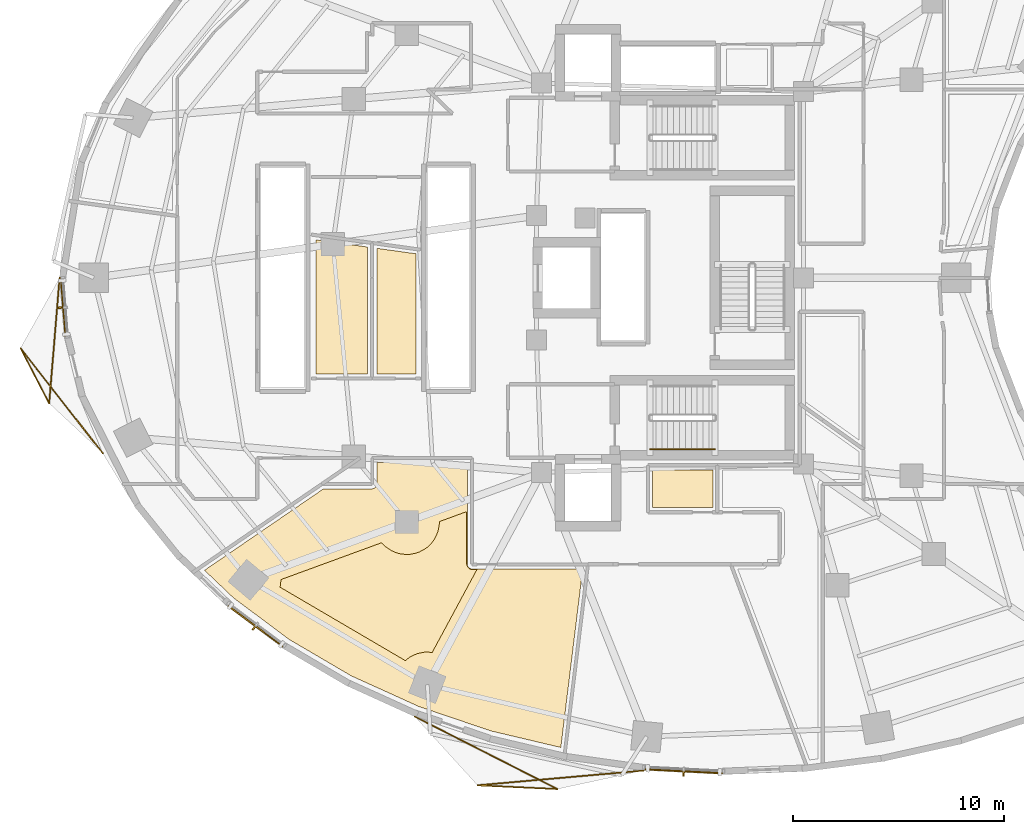
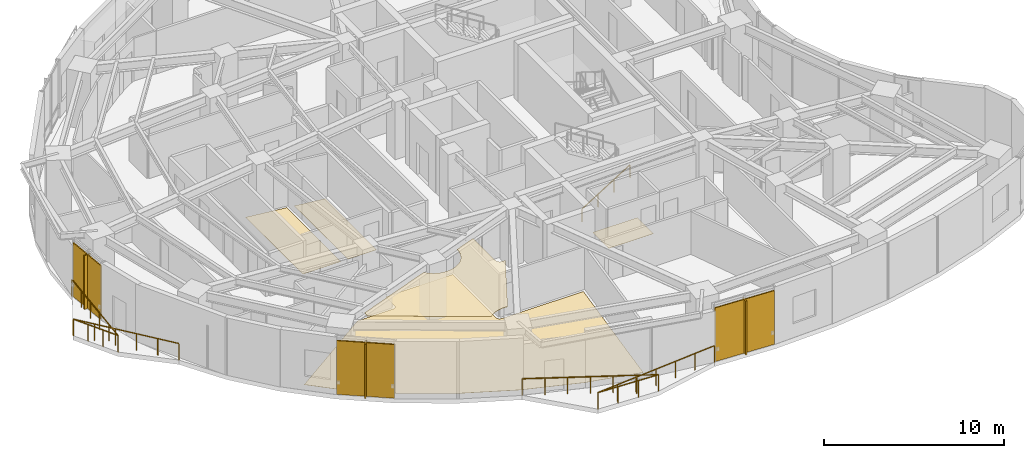
# One storey, part 14 of 16: 6 shading devices, 5 coverings, 3 railings.
"""IFC4 building model written with IfcOpenShell, lengths in metres."""

from ifc_helpers import new_model, si_unit, direction, frame, origin, origin_2d, place, context, subcontext, project, spatial, polyline, rectangle, outline, extrude, material, layer, layer_set, type_object, element, save


model = new_model("IFC4")

# Units and contexts
model_context = context("Model", 3, precision=1e-05, world=origin(), true_north=direction((0.0, 1.0)))
body_context = subcontext(model_context, "Body", "Model", "MODEL_VIEW")
ifc_project = project(units=[si_unit("LENGTHUNIT", "METRE"), si_unit("AREAUNIT", "SQUARE_METRE"), si_unit("VOLUMEUNIT", "CUBIC_METRE"), si_unit("PLANEANGLEUNIT", "RADIAN"), si_unit("MASSUNIT", "GRAM", prefix="KILO")], contexts=[model_context])

# Site, building, storey
site_placement = place(None, origin())
site = spatial("IfcSite", under=ifc_project, at=site_placement, CompositionType="ELEMENT")
building_placement = place(site_placement, origin())
building = spatial("IfcBuilding", under=site, at=building_placement, Name="Korentha Bioscience Tower", CompositionType="ELEMENT")
storey_placement = place(building_placement, frame((0.0, 0.0, 55.199951171875)))
storey = spatial("IfcBuildingStorey", under=building, at=storey_placement, Name="L12", CompositionType="ELEMENT", Elevation=55.199951171875)

# Railings
ifc_material_1 = material(Name="Stainless Steel 304", Category="steel")
railing_type_1 = type_object("IfcRailingType", Name="Brushed Stainless Stair Handrail 900", PredefinedType="HANDRAIL", material=ifc_material_1)
railing_1_placement = place(storey_placement, frame((30.25, 18.85009765625, 0.175048828125)))
element("IfcRailing", 1, at=railing_1_placement, inside=storey, type_object=railing_type_1, Name="L12 ST-2 stair handrail 1", PredefinedType="HANDRAIL", context=body_context, shape_type="SweptSolid", body=[
    extrude(rectangle(XDim=0.048095703125, YDim=0.048095703125, at=origin_2d()), frame((0.0, 0.0, 0.8759765625), z_axis=(0.847998304005, 0.0, 0.529998940003), x_axis=(0.0, 1.0, 0.0)), (0.0, 0.0, 1.0), 3.632080078125),
    extrude(rectangle(XDim=0.0419921875, YDim=0.0419921875, at=origin_2d()), origin(), (0.0, 0.0, 1.0), 0.851806640625),
    extrude(rectangle(XDim=0.0419921875, YDim=0.0419921875, at=origin_2d()), frame((1.026611328125, 0.0, 0.6416015625)), (0.0, 0.0, 1.0), 0.851806640625),
    extrude(rectangle(XDim=0.0419921875, YDim=0.0419921875, at=origin_2d()), frame((2.053466796875, 0.0, 1.283447265625)), (0.0, 0.0, 1.0), 0.851806640625),
    extrude(rectangle(XDim=0.0419921875, YDim=0.0419921875, at=origin_2d()), frame((3.080078125, 0.0, 1.925048828125)), (0.0, 0.0, 1.0), 0.851806640625),
])
ifc_material_2 = material(Name="Laminated Tempered Safety Glass", Category="glass")
railing_type_2 = type_object("IfcRailingType", Name="Laminated Glass Balcony Guardrail 1150", PredefinedType="BALUSTRADE", material=ifc_material_2)
railing_2_placement = place(storey_placement, frame((2.199951171875, 27.0, 0.0)))
element("IfcRailing", 2, at=railing_2_placement, inside=storey, type_object=railing_type_2, Name="L12 Balcony Guardrail 02", PredefinedType="BALUSTRADE", context=body_context, shape_type="SweptSolid", body=[
    extrude(rectangle(XDim=0.048095703125, YDim=0.048095703125, at=origin_2d()), frame((0.0, 0.0, 1.1259765625), z_axis=(-0.082377218536, -0.996601221084, 0.0), x_axis=(0.996601221084, -0.082377218536, 0.0)), (0.0, 0.0, 1.0), 5.986572265625),
    extrude(rectangle(XDim=0.048095703125, YDim=0.048095703125, at=origin_2d()), frame((-0.4931640625, -5.96630859375, 1.1259765625), z_axis=(-0.46168810781, 0.887042327686, 0.0), x_axis=(-0.887042327686, -0.46168810781, 0.0)), (0.0, 0.0, 1.0), 2.95654296875),
    extrude(rectangle(XDim=0.048095703125, YDim=0.048095703125, at=origin_2d()), frame((-1.858154296875, -3.34375, 1.1259765625), z_axis=(0.616598258168, -0.787277961094, 0.0), x_axis=(0.787277961094, 0.616598258168, 0.0)), (0.0, 0.0, 1.0), 6.332275390625),
    extrude(rectangle(XDim=0.0419921875, YDim=0.0419921875, at=origin_2d()), origin(), (0.0, 0.0, 1.0), 1.101806640625),
    extrude(rectangle(XDim=0.0419921875, YDim=0.0419921875, at=origin_2d()), frame((-0.0986328125, -1.193359375, 0.0)), (0.0, 0.0, 1.0), 1.101806640625),
    extrude(rectangle(XDim=0.0419921875, YDim=0.0419921875, at=origin_2d()), frame((-0.197265625, -2.386474609375, 0.0)), (0.0, 0.0, 1.0), 1.101806640625),
    extrude(rectangle(XDim=0.0419921875, YDim=0.0419921875, at=origin_2d()), frame((-0.2958984375, -3.579833984375, 0.0)), (0.0, 0.0, 1.0), 1.101806640625),
    extrude(rectangle(XDim=0.0419921875, YDim=0.0419921875, at=origin_2d()), frame((-0.39453125, -4.77294921875, 0.0)), (0.0, 0.0, 1.0), 1.101806640625),
    extrude(rectangle(XDim=0.0419921875, YDim=0.0419921875, at=origin_2d()), frame((-0.4931640625, -5.96630859375, 0.0)), (0.0, 0.0, 1.0), 1.101806640625),
    extrude(rectangle(XDim=0.0419921875, YDim=0.0419921875, at=origin_2d()), frame((-0.9482421875, -5.092041015625, 0.0)), (0.0, 0.0, 1.0), 1.101806640625),
    extrude(rectangle(XDim=0.0419921875, YDim=0.0419921875, at=origin_2d()), frame((-1.403076171875, -4.218017578125, 0.0)), (0.0, 0.0, 1.0), 1.101806640625),
    extrude(rectangle(XDim=0.0419921875, YDim=0.0419921875, at=origin_2d()), frame((-1.858154296875, -3.34375, 0.0)), (0.0, 0.0, 1.0), 1.101806640625),
    extrude(rectangle(XDim=0.0419921875, YDim=0.0419921875, at=origin_2d()), frame((-1.0771484375, -4.3408203125, 0.0)), (0.0, 0.0, 1.0), 1.101806640625),
    extrude(rectangle(XDim=0.0419921875, YDim=0.0419921875, at=origin_2d()), frame((-0.29638671875, -5.337890625, 0.0)), (0.0, 0.0, 1.0), 1.101806640625),
    extrude(rectangle(XDim=0.0419921875, YDim=0.0419921875, at=origin_2d()), frame((0.484619140625, -6.3349609375, 0.0)), (0.0, 0.0, 1.0), 1.101806640625),
    extrude(rectangle(XDim=0.0419921875, YDim=0.0419921875, at=origin_2d()), frame((1.265380859375, -7.33203125, 0.0)), (0.0, 0.0, 1.0), 1.101806640625),
    extrude(rectangle(XDim=0.0419921875, YDim=0.0419921875, at=origin_2d()), frame((2.04638671875, -8.3291015625, 0.0)), (0.0, 0.0, 1.0), 1.101806640625),
])
railing_3_placement = place(storey_placement, frame((19.07080078125, 6.162353515625, 0.0)))
element("IfcRailing", 3, at=railing_3_placement, inside=storey, type_object=railing_type_2, Name="L12 Balcony Guardrail 03", PredefinedType="BALUSTRADE", context=body_context, shape_type="SweptSolid", body=[
    extrude(rectangle(XDim=0.048095703125, YDim=0.048095703125, at=origin_2d()), frame((0.0, 0.0, 1.1259765625), z_axis=(0.891319654486, -0.45337542228, 0.0), x_axis=(0.45337542228, 0.891319654486, 0.0)), (0.0, 0.0, 1.0), 7.610107421875),
    extrude(rectangle(XDim=0.048095703125, YDim=0.048095703125, at=origin_2d()), frame((6.782958984375, -3.4501953125, 1.1259765625), z_axis=(-0.998888075522, 0.047144592276, 0.0), x_axis=(-0.047144592276, -0.998888075522, 0.0)), (0.0, 0.0, 1.0), 3.80615234375),
    extrude(rectangle(XDim=0.048095703125, YDim=0.048095703125, at=origin_2d()), frame((2.98095703125, -3.270751953125, 1.1259765625), z_axis=(0.996070888577, 0.088559499377, 0.0), x_axis=(-0.088559499377, 0.996070888577, 0.0)), (0.0, 0.0, 1.0), 7.920166015625),
    extrude(rectangle(XDim=0.0419921875, YDim=0.0419921875, at=origin_2d()), origin(), (0.0, 0.0, 1.0), 1.101806640625),
    extrude(rectangle(XDim=0.0419921875, YDim=0.0419921875, at=origin_2d()), frame((1.13037109375, -0.574951171875, 0.0)), (0.0, 0.0, 1.0), 1.101806640625),
    extrude(rectangle(XDim=0.0419921875, YDim=0.0419921875, at=origin_2d()), frame((2.260986328125, -1.150146484375, 0.0)), (0.0, 0.0, 1.0), 1.101806640625),
    extrude(rectangle(XDim=0.0419921875, YDim=0.0419921875, at=origin_2d()), frame((3.3916015625, -1.72509765625, 0.0)), (0.0, 0.0, 1.0), 1.101806640625),
    extrude(rectangle(XDim=0.0419921875, YDim=0.0419921875, at=origin_2d()), frame((4.52197265625, -2.300048828125, 0.0)), (0.0, 0.0, 1.0), 1.101806640625),
    extrude(rectangle(XDim=0.0419921875, YDim=0.0419921875, at=origin_2d()), frame((5.65234375, -2.875244140625, 0.0)), (0.0, 0.0, 1.0), 1.101806640625),
    extrude(rectangle(XDim=0.0419921875, YDim=0.0419921875, at=origin_2d()), frame((6.782958984375, -3.4501953125, 0.0)), (0.0, 0.0, 1.0), 1.101806640625),
    extrude(rectangle(XDim=0.0419921875, YDim=0.0419921875, at=origin_2d()), frame((5.515625, -3.390380859375, 0.0)), (0.0, 0.0, 1.0), 1.101806640625),
    extrude(rectangle(XDim=0.0419921875, YDim=0.0419921875, at=origin_2d()), frame((4.248291015625, -3.33056640625, 0.0)), (0.0, 0.0, 1.0), 1.101806640625),
    extrude(rectangle(XDim=0.0419921875, YDim=0.0419921875, at=origin_2d()), frame((2.98095703125, -3.270751953125, 0.0)), (0.0, 0.0, 1.0), 1.101806640625),
    extrude(rectangle(XDim=0.0419921875, YDim=0.0419921875, at=origin_2d()), frame((4.2958984375, -3.15380859375, 0.0)), (0.0, 0.0, 1.0), 1.101806640625),
    extrude(rectangle(XDim=0.0419921875, YDim=0.0419921875, at=origin_2d()), frame((5.610595703125, -3.036865234375, 0.0)), (0.0, 0.0, 1.0), 1.101806640625),
    extrude(rectangle(XDim=0.0419921875, YDim=0.0419921875, at=origin_2d()), frame((6.925537109375, -2.919921875, 0.0)), (0.0, 0.0, 1.0), 1.101806640625),
    extrude(rectangle(XDim=0.0419921875, YDim=0.0419921875, at=origin_2d()), frame((8.240478515625, -2.80322265625, 0.0)), (0.0, 0.0, 1.0), 1.101806640625),
    extrude(rectangle(XDim=0.0419921875, YDim=0.0419921875, at=origin_2d()), frame((9.55517578125, -2.686279296875, 0.0)), (0.0, 0.0, 1.0), 1.101806640625),
    extrude(rectangle(XDim=0.0419921875, YDim=0.0419921875, at=origin_2d()), frame((10.8701171875, -2.5693359375, 0.0)), (0.0, 0.0, 1.0), 1.101806640625),
])

# Covering
ifc_material_3 = material(Name="Antimicrobial Mineral Fibre Board", Category="gypsum")
ifc_layer_1 = layer(ifc_material_3, 0.034912109375, Name="Antimicrobial Mineral Fibre Board")
ifc_layer_set_1 = layer_set([ifc_layer_1], Name="Antimicrobial Mineral Fibre Board (CL-MF35)")
covering_type_1 = type_object("IfcCoveringType", Name="Mineral-Fibre Cleanroom Suspended Ceiling 35", PredefinedType="CEILING", material=ifc_layer_set_1)
covering_1_placement = place(storey_placement, frame((0.0, 0.0, 3.864990234375)))
element("IfcCovering", 4, at=covering_1_placement, inside=storey, type_object=covering_type_1, Name="L12 NMR Spectroscopy Shielded Room 05 Acoustic Ceiling", PredefinedType="CEILING", context=body_context, shape_type="SweptSolid", body=[
    extrude(outline(polyline([(21.540283203125, 13.3876953125), (21.577392578125, 13.265869140625), (21.6884765625, 13.165283203125), (21.786865234375, 13.140380859375), (22.02392578125, 13.139892578125), (19.900634765625, 9.201416015625), (19.66650390625, 9.22119140625), (19.514404296875, 9.213623046875), (19.216552734375, 9.154296875), (18.935791015625, 9.0380859375), (18.805419921875, 8.9599609375), (18.623046875, 8.81494140625), (12.677490234375, 12.30078125), (12.71923828125, 12.666015625), (17.5, 14.415283203125), (17.708740234375, 14.20703125), (17.96142578125, 14.038330078125), (18.2421875, 13.922119140625), (18.3896484375, 13.885009765625), (18.692138671875, 13.855224609375), (18.843994140625, 13.86279296875), (19.14208984375, 13.922119140625), (19.285400390625, 13.973388671875), (19.55322265625, 14.116455078125), (19.67529296875, 14.20703125), (19.890380859375, 14.422119140625), (19.98095703125, 14.544189453125), (20.05908203125, 14.674560546875), (20.17529296875, 14.955322265625), (20.234619140625, 15.25341796875), (20.241455078125, 15.41845703125), (21.5400390625, 15.893798828125), (21.540283203125, 13.3876953125)])), origin(), (0.0, 0.0, 1.0), 0.03515625),
])

# Shading devices
ifc_material_4 = material(Name="Perforated Stone-Ceramic Composite", Category="masonry")
ifc_layer_2 = layer(ifc_material_4, 0.06494140625, Name="Perforated Stone-Ceramic Composite")
ifc_layer_set_2 = layer_set([ifc_layer_2], Name="Perforated Stone-Ceramic Composite (CS-01)")
shading_device_type_1 = type_object("IfcShadingDeviceType", Name="Perforated Stone-Ceramic Solar Screen Panel 65", PredefinedType="USERDEFINED", material=ifc_layer_set_2)
shading_device_1_placement = place(storey_placement, frame((2.37451171875, 25.58935546875, 0.0), z_axis=(0.0, 0.0, 1.0), x_axis=(0.080820466375, -0.996728675325, 0.0)))
element("IfcShadingDevice", 5, at=shading_device_1_placement, inside=storey, type_object=shading_device_type_1, Name="CW-L12-19 Perforated Stone-Ceramic Solar Screen", ObjectType="SCREEN", PredefinedType="USERDEFINED", context=body_context, shape_type="SweptSolid", body=[
    extrude(rectangle(XDim=2.739990234375, YDim=0.06494140625, at=origin_2d()), origin(), (0.0, 0.0, 1.0), 3.64990234375),
])
shading_device_2_placement = place(storey_placement, frame((11.503662109375, 10.455078125, 0.0), z_axis=(0.0, 0.0, 1.0), x_axis=(0.800797909614, -0.598934644145, 0.0)))
element("IfcShadingDevice", 6, at=shading_device_2_placement, inside=storey, type_object=shading_device_type_1, Name="CW-L12-25 Perforated Stone-Ceramic Solar Screen", ObjectType="SCREEN", PredefinedType="USERDEFINED", context=body_context, shape_type="SweptSolid", body=[
    extrude(rectangle(XDim=3.260986328125, YDim=0.06494140625, at=origin_2d()), origin(), (0.0, 0.0, 1.0), 3.64990234375),
])
shading_device_3_placement = place(storey_placement, frame((31.85009765625, 3.556640625, 0.0), z_axis=(0.0, 0.0, 1.0), x_axis=(0.998730551641, -0.050371472279, 0.0)))
element("IfcShadingDevice", 7, at=shading_device_3_placement, inside=storey, type_object=shading_device_type_1, Name="CW-L12-31 Perforated Stone-Ceramic Solar Screen", ObjectType="SCREEN", PredefinedType="USERDEFINED", context=body_context, shape_type="SweptSolid", body=[
    extrude(rectangle(XDim=3.717041015625, YDim=0.06494140625, at=origin_2d()), origin(), (0.0, 0.0, 1.0), 3.64990234375),
])

# Coverings
ifc_material_5 = material(Name="Chemical-Resistant Epoxy Resin", Category="polymer")
ifc_layer_3 = layer(ifc_material_5, 0.011962890625, Name="Chemical-Resistant Epoxy Resin")
ifc_layer_set_3 = layer_set([ifc_layer_3], Name="Chemical-Resistant Epoxy Resin (FL-EPX)")
covering_type_2 = type_object("IfcCoveringType", Name="Seamless Epoxy Laboratory Flooring 12", PredefinedType="FLOORING", material=ifc_layer_set_3)
covering_2_placement = place(storey_placement, origin())
element("IfcCovering", 8, at=covering_2_placement, inside=storey, type_object=covering_type_2, Name="L12 Core Instrumentation and Gas Store Floor Finish", PredefinedType="FLOORING", context=body_context, shape_type="SweptSolid", body=[
    extrude(outline(polyline([(30.3701171875, 16.080078125), (30.3701171875, 17.8701171875), (33.22998046875, 17.8701171875), (33.22998046875, 16.080078125), (30.3701171875, 16.080078125)])), origin(), (0.0, 0.0, 1.0), 0.011962890625),
])
covering_3_placement = place(storey_placement, origin())
element("IfcCovering", 9, at=covering_3_placement, inside=storey, type_object=covering_type_2, Name="L12 Staff Pantry Kitchenette 01 Floor Finish", PredefinedType="FLOORING", context=body_context, shape_type="SweptSolid", body=[
    extrude(outline(polyline([(16.827880859375, 28.461181640625), (16.827880859375, 22.429931640625), (14.3798828125, 22.429931640625), (14.3798828125, 28.80078125), (16.827880859375, 28.461181640625)])), origin(), (0.0, 0.0, 1.0), 0.011962890625),
])
covering_4_placement = place(storey_placement, origin())
element("IfcCovering", 10, at=covering_4_placement, inside=storey, type_object=covering_type_2, Name="L12 Biomechanical Motion Analysis Lab 03 Floor Finish", PredefinedType="FLOORING", context=body_context, shape_type="SweptSolid", body=[
    extrude(outline(polyline([(17.278076171875, 22.429931640625), (17.278076171875, 28.398681640625), (19.1201171875, 28.143310546875), (19.1201171875, 22.429931640625), (17.278076171875, 22.429931640625)])), origin(), (0.0, 0.0, 1.0), 0.011962890625),
])
covering_5_placement = place(storey_placement, origin())
element("IfcCovering", 11, at=covering_5_placement, inside=storey, type_object=covering_type_2, Name="L12 NMR Spectroscopy Shielded Room 05 Floor Finish", PredefinedType="FLOORING", context=body_context, shape_type="SweptSolid", body=[
    extrude(outline(polyline([(17.048095703125, 16.97802734375), (17.132080078125, 16.994384765625), (17.1884765625, 17.02734375), (17.24365234375, 17.093017578125), (17.266845703125, 17.15380859375), (17.27197265625, 18.219970703125), (21.570068359375, 18.219970703125), (21.570068359375, 13.39990234375), (21.591796875, 13.302001953125), (21.645263671875, 13.22998046875), (21.72216796875, 13.18359375), (21.800048828125, 13.169921875), (27.0517578125, 13.169921875), (26.010498046875, 4.689208984375), (22.687255859375, 5.474609375), (19.2587890625, 6.63720703125), (16.0458984375, 8.09521484375), (13.09619140625, 9.826171875), (10.451904296875, 11.8037109375), (9.0859375, 13.1064453125), (14.740478515625, 16.97802734375), (17.048095703125, 16.97802734375)])), origin(), (0.0, 0.0, 1.0), 0.011962890625),
])

# Shading devices
ifc_material_6 = material(Name="Honed Travertine Limestone", Category="masonry")
ifc_layer_4 = layer(ifc_material_6, 0.080078125, Name="Honed Travertine Limestone")
ifc_layer_set_4 = layer_set([ifc_layer_4], Name="Honed Travertine Limestone (CS-02)")
shading_device_type_2 = type_object("IfcShadingDeviceType", Name="Vertical Honed Limestone Sunshade Fin 80x420", PredefinedType="USERDEFINED", material=ifc_layer_set_4)
for number, where, z_axis, x_axis, name in (
    (12, (2.354736328125, 25.587890625, 0.0), (0.0, 0.0, 1.0), (0.080820466375, -0.996728675325, 0.0), "CW-L12-19 Limestone Sunshade Fin"),
    (13, (11.49169921875, 10.439208984375, 0.0), (0.0, 0.0, 1.0), (0.800797909614, -0.598934644145, 0.0), "CW-L12-25 Limestone Sunshade Fin"),
    (14, (31.84912109375, 3.536865234375, 0.0), (0.0, 0.0, 1.0), (0.998730551641, -0.050371472279, 0.0), "CW-L12-31 Limestone Sunshade Fin"),
):
    element("IfcShadingDevice", number, at=place(storey_placement, frame(where, z_axis=z_axis, x_axis=x_axis)), inside=storey, type_object=shading_device_type_2, Name=name, ObjectType="SCREEN", PredefinedType="USERDEFINED", context=body_context, shape_type="SweptSolid", body=[
        extrude(rectangle(XDim=0.080078125, YDim=0.419921875, at=origin_2d()), origin(), (0.0, 0.0, 1.0), 3.64990234375),
    ])

save(model, "model.ifc")
